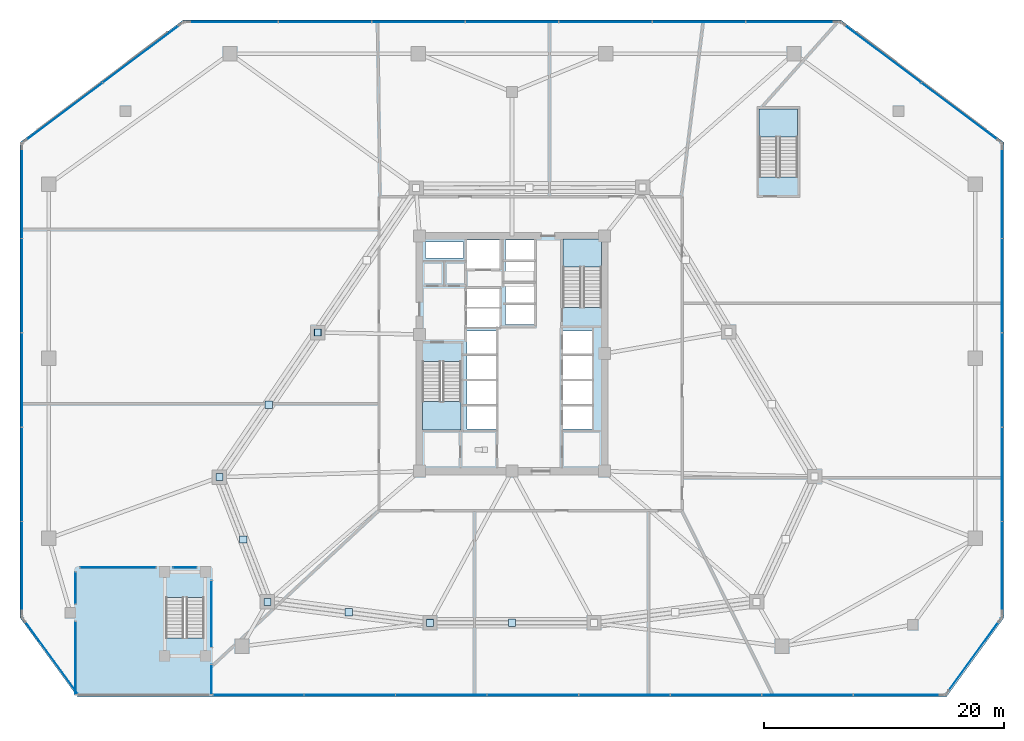
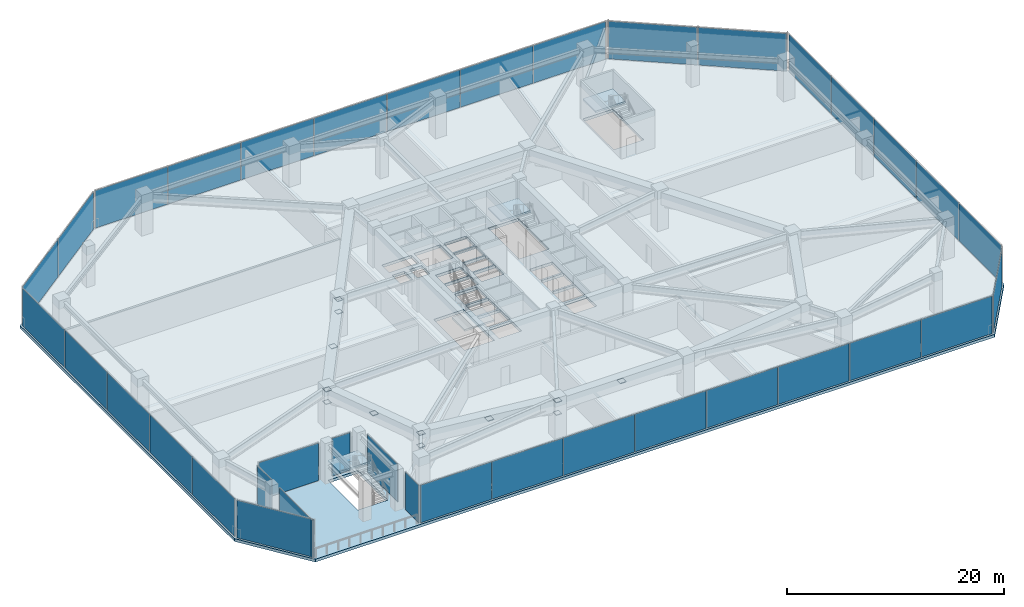
# One storey, part 13 of 23: 49 plates, 5 slabs, 18 elements without a shape of their own.
"""IFC4 building model written with IfcOpenShell, lengths in metres."""

from ifc_helpers import new_model, si_unit, direction, frame, origin, origin_2d, place, context, subcontext, project, spatial, polyline, rectangle, outline, extrude, material, layer, layer_set, type_object, element, aggregate, save


model = new_model("IFC4")

# Units and contexts
model_context = context("Model", 3, precision=1e-05, world=origin(), true_north=direction((0.0, 1.0)))
body_context = subcontext(model_context, "Body", "Model", "MODEL_VIEW")
ifc_project = project(units=[si_unit("LENGTHUNIT", "METRE"), si_unit("AREAUNIT", "SQUARE_METRE"), si_unit("VOLUMEUNIT", "CUBIC_METRE"), si_unit("PLANEANGLEUNIT", "RADIAN"), si_unit("MASSUNIT", "GRAM", prefix="KILO")], contexts=[model_context])

# Site, building, storey
site_placement = place(None, origin())
site = spatial("IfcSite", under=ifc_project, at=site_placement, CompositionType="ELEMENT")
building_placement = place(site_placement, origin())
building = spatial("IfcBuilding", under=site, at=building_placement, Name="Savorim Split Tower", CompositionType="ELEMENT")
storey_placement = place(building_placement, frame((0.0, 0.0, 21.800048828125)))
storey = spatial("IfcBuildingStorey", under=building, at=storey_placement, Name="L05", CompositionType="ELEMENT", Elevation=21.800048828125)

# Curtain wall, plate
ifc_material_1 = material(Name="Dark Ceramic-Fritted Insulated Glass", Category="glass")
curtain_wall_type = type_object("IfcCurtainWallType", Name="CW-REFUGE-LVR", PredefinedType="NOTDEFINED", material=ifc_material_1)
curtain_wall_1_placement = place(storey_placement, origin())
curtain_wall_1 = element("IfcCurtainWall", 1, at=curtain_wall_1_placement, inside=storey, type_object=curtain_wall_type, Name="L05 Curtain Wall CW-L05-E01S1", PredefinedType="NOTDEFINED")
ifc_material_2 = material(Name="Charcoal Anodised Aluminium", Category="aluminium")
ifc_layer_1 = layer(ifc_material_2, 0.035888671875)
ifc_layer_set_1 = layer_set([ifc_layer_1], Name="CWP-LVR-36")
plate_type_1 = type_object("IfcPlateType", Name="CWP-LVR-36", PredefinedType="CURTAIN_PANEL", material=ifc_layer_set_1)
plate_1_placement = place(storey_placement, frame((-36.360107421875, -24.965087890625, 0.05517578125), z_axis=(0.0, 0.0, 1.0), x_axis=(0.0, 1.0, 0.0)))
plate_1 = element("IfcPlate", 2, at=plate_1_placement, type_object=plate_type_1, Name="CW-06 panel 1.1", PredefinedType="CURTAIN_PANEL", context=body_context, shape_type="SweptSolid", body=[
    extrude(rectangle(XDim=6.06005859375, YDim=0.035888671875, at=origin_2d()), origin(), (0.0, 0.0, 1.0), 4.239990234375),
])
aggregate(curtain_wall_1, [plate_1])

curtain_wall_2_placement = place(storey_placement, origin())
curtain_wall_2 = element("IfcCurtainWall", 3, at=curtain_wall_2_placement, inside=storey, type_object=curtain_wall_type, Name="L05 Curtain Wall CW-L05-E01S2", PredefinedType="NOTDEFINED")
plate_2_placement = place(storey_placement, frame((-36.360107421875, -19.135009765625, 0.05517578125), z_axis=(0.0, 0.0, 1.0), x_axis=(0.0, 1.0, 0.0)))
plate_2 = element("IfcPlate", 4, at=plate_2_placement, type_object=plate_type_1, Name="CW-06 panel 1.1", PredefinedType="CURTAIN_PANEL", context=body_context, shape_type="SweptSolid", body=[
    extrude(rectangle(XDim=2.659912109375, YDim=0.035888671875, at=origin_2d()), origin(), (0.0, 0.0, 1.0), 4.239990234375),
])
aggregate(curtain_wall_2, [plate_2])

curtain_wall_3_placement = place(storey_placement, origin())
curtain_wall_3 = element("IfcCurtainWall", 5, at=curtain_wall_3_placement, inside=storey, type_object=curtain_wall_type, Name="L05 Curtain Wall CW-L05-E02S1", PredefinedType="NOTDEFINED")
plate_3_placement = place(storey_placement, frame((-32.840087890625, -17.43994140625, 0.05517578125), z_axis=(0.0, 0.0, 1.0), x_axis=(1.0, 0.0, 0.0)))
plate_3 = element("IfcPlate", 6, at=plate_3_placement, type_object=plate_type_1, Name="CW-06 panel 1.1", PredefinedType="CURTAIN_PANEL", context=body_context, shape_type="SweptSolid", body=[
    extrude(rectangle(XDim=6.31005859375, YDim=0.035888671875, at=origin_2d()), origin(), (0.0, 0.0, 1.0), 4.239990234375),
])
aggregate(curtain_wall_3, [plate_3])

curtain_wall_4_placement = place(storey_placement, origin())
curtain_wall_4 = element("IfcCurtainWall", 7, at=curtain_wall_4_placement, inside=storey, type_object=curtain_wall_type, Name="L05 Curtain Wall CW-L05-E02S2", PredefinedType="NOTDEFINED")
plate_4_placement = place(storey_placement, frame((-27.25, -17.43994140625, 0.05517578125), z_axis=(0.0, 0.0, 1.0), x_axis=(1.0, 0.0, 0.0)))
plate_4 = element("IfcPlate", 8, at=plate_4_placement, type_object=plate_type_1, Name="CW-06 panel 1.1", PredefinedType="CURTAIN_PANEL", context=body_context, shape_type="SweptSolid", body=[
    extrude(rectangle(XDim=1.929931640625, YDim=0.035888671875, at=origin_2d()), origin(), (0.0, 0.0, 1.0), 4.239990234375),
])
aggregate(curtain_wall_4, [plate_4])

curtain_wall_5_placement = place(storey_placement, origin())
curtain_wall_5 = element("IfcCurtainWall", 9, at=curtain_wall_5_placement, inside=storey, type_object=curtain_wall_type, Name="L05 Curtain Wall CW-L05-E03S1", PredefinedType="NOTDEFINED")
plate_5_placement = place(storey_placement, frame((-25.0400390625, -21.300048828125, 0.05517578125), z_axis=(0.0, 0.0, 1.0), x_axis=(0.0, -1.0, 0.0)))
plate_5 = element("IfcPlate", 10, at=plate_5_placement, type_object=plate_type_1, Name="CW-06 panel 1.1", PredefinedType="CURTAIN_PANEL", context=body_context, shape_type="SweptSolid", body=[
    extrude(rectangle(XDim=5.530029296875, YDim=0.035888671875, at=origin_2d()), origin(), (0.0, 0.0, 1.0), 4.239990234375),
])
aggregate(curtain_wall_5, [plate_5])

curtain_wall_6_placement = place(storey_placement, origin())
curtain_wall_6 = element("IfcCurtainWall", 11, at=curtain_wall_6_placement, inside=storey, type_object=curtain_wall_type, Name="L05 Curtain Wall CW-L05-E03S2", PredefinedType="NOTDEFINED")
plate_6_placement = place(storey_placement, frame((-25.0400390625, -26.764892578125, 0.05517578125), z_axis=(0.0, 0.0, 1.0), x_axis=(0.0, -1.0, 0.0)))
plate_6 = element("IfcPlate", 12, at=plate_6_placement, type_object=plate_type_1, Name="CW-06 panel 1.1", PredefinedType="CURTAIN_PANEL", context=body_context, shape_type="SweptSolid", body=[
    extrude(rectangle(XDim=2.4599609375, YDim=0.035888671875, at=origin_2d()), origin(), (0.0, 0.0, 1.0), 4.239990234375),
])
aggregate(curtain_wall_6, [plate_6])

# Curtain wall, plates
curtain_wall_7_placement = place(storey_placement, origin())
curtain_wall_7 = element("IfcCurtainWall", 13, at=curtain_wall_7_placement, inside=storey, type_object=curtain_wall_type, Name="L05 Curtain Wall CW-L05-E04", PredefinedType="NOTDEFINED")
plate_7_placement = place(storey_placement, frame((-21.125244140625, -28.0400390625, 0.05517578125), z_axis=(0.0, 0.0, 1.0), x_axis=(1.0, 0.0, 0.0)))
plate_7 = element("IfcPlate", 14, at=plate_7_placement, type_object=plate_type_1, Name="CW-06 panel 1.1", PredefinedType="CURTAIN_PANEL", context=body_context, shape_type="SweptSolid", body=[
    extrude(rectangle(XDim=7.529296875, YDim=0.035888671875, at=origin_2d()), origin(), (0.0, 0.0, 1.0), 4.239990234375),
])
plate_8_placement = place(storey_placement, frame((-13.5146484375, -28.0400390625, 0.05517578125), z_axis=(0.0, 0.0, 1.0), x_axis=(1.0, 0.0, 0.0)))
plate_8 = element("IfcPlate", 15, at=plate_8_placement, type_object=plate_type_1, Name="CW-06 panel 2.1", PredefinedType="CURTAIN_PANEL", context=body_context, shape_type="SweptSolid", body=[
    extrude(rectangle(XDim=7.561767578125, YDim=0.035888671875, at=origin_2d()), origin(), (0.0, 0.0, 1.0), 4.239990234375),
])
plate_9_placement = place(storey_placement, frame((-5.8876953125, -28.0400390625, 0.05517578125), z_axis=(0.0, 0.0, 1.0), x_axis=(1.0, 0.0, 0.0)))
plate_9 = element("IfcPlate", 16, at=plate_9_placement, type_object=plate_type_1, Name="CW-06 panel 3.1", PredefinedType="CURTAIN_PANEL", context=body_context, shape_type="SweptSolid", body=[
    extrude(rectangle(XDim=7.561767578125, YDim=0.035888671875, at=origin_2d()), origin(), (0.0, 0.0, 1.0), 4.239990234375),
])
plate_10_placement = place(storey_placement, frame((1.739013671875, -28.0400390625, 0.05517578125), z_axis=(0.0, 0.0, 1.0), x_axis=(1.0, 0.0, 0.0)))
plate_10 = element("IfcPlate", 17, at=plate_10_placement, type_object=plate_type_1, Name="CW-06 panel 4.1", PredefinedType="CURTAIN_PANEL", context=body_context, shape_type="SweptSolid", body=[
    extrude(rectangle(XDim=7.561767578125, YDim=0.035888671875, at=origin_2d()), origin(), (0.0, 0.0, 1.0), 4.239990234375),
])
plate_11_placement = place(storey_placement, frame((9.365966796875, -28.0400390625, 0.05517578125), z_axis=(0.0, 0.0, 1.0), x_axis=(1.0, 0.0, 0.0)))
plate_11 = element("IfcPlate", 18, at=plate_11_placement, type_object=plate_type_1, Name="CW-06 panel 5.1", PredefinedType="CURTAIN_PANEL", context=body_context, shape_type="SweptSolid", body=[
    extrude(rectangle(XDim=7.561767578125, YDim=0.035888671875, at=origin_2d()), origin(), (0.0, 0.0, 1.0), 4.239990234375),
])
plate_12_placement = place(storey_placement, frame((16.992919921875, -28.0400390625, 0.05517578125), z_axis=(0.0, 0.0, 1.0), x_axis=(1.0, 0.0, 0.0)))
plate_12 = element("IfcPlate", 19, at=plate_12_placement, type_object=plate_type_1, Name="CW-06 panel 6.1", PredefinedType="CURTAIN_PANEL", context=body_context, shape_type="SweptSolid", body=[
    extrude(rectangle(XDim=7.561767578125, YDim=0.035888671875, at=origin_2d()), origin(), (0.0, 0.0, 1.0), 4.239990234375),
])
plate_13_placement = place(storey_placement, frame((24.61962890625, -28.0400390625, 0.05517578125), z_axis=(0.0, 0.0, 1.0), x_axis=(1.0, 0.0, 0.0)))
plate_13 = element("IfcPlate", 20, at=plate_13_placement, type_object=plate_type_1, Name="CW-06 panel 7.1", PredefinedType="CURTAIN_PANEL", context=body_context, shape_type="SweptSolid", body=[
    extrude(rectangle(XDim=7.561767578125, YDim=0.035888671875, at=origin_2d()), origin(), (0.0, 0.0, 1.0), 4.239990234375),
])
plate_14_placement = place(storey_placement, frame((32.230224609375, -28.0400390625, 0.05517578125), z_axis=(0.0, 0.0, 1.0), x_axis=(1.0, 0.0, 0.0)))
plate_14 = element("IfcPlate", 21, at=plate_14_placement, type_object=plate_type_1, Name="CW-06 panel 8.1", PredefinedType="CURTAIN_PANEL", context=body_context, shape_type="SweptSolid", body=[
    extrude(rectangle(XDim=7.529296875, YDim=0.035888671875, at=origin_2d()), origin(), (0.0, 0.0, 1.0), 4.239990234375),
])
aggregate(curtain_wall_7, [plate_7, plate_8, plate_9, plate_10, plate_11, plate_12, plate_13, plate_14])

# Curtain wall, plate
curtain_wall_8_placement = place(storey_placement, origin())
curtain_wall_8 = element("IfcCurtainWall", 22, at=curtain_wall_8_placement, inside=storey, type_object=curtain_wall_type, Name="L05 Curtain Wall CW-L05-E05", PredefinedType="NOTDEFINED")
plate_15_placement = place(storey_placement, frame((38.470703125, -24.805908203125, 0.05517578125), z_axis=(0.0, 0.0, 1.0), x_axis=(0.588176224478, 0.808732792063, 0.0)))
plate_15 = element("IfcPlate", 23, at=plate_15_placement, type_object=plate_type_1, Name="CW-06 panel 1.1", PredefinedType="CURTAIN_PANEL", context=body_context, shape_type="SweptSolid", body=[
    extrude(rectangle(XDim=7.7509765625, YDim=0.035888671875, at=origin_2d()), origin(), (0.0, 0.0, 1.0), 4.239990234375),
])
aggregate(curtain_wall_8, [plate_15])

# Curtain wall, plates
curtain_wall_9_placement = place(storey_placement, origin())
curtain_wall_9 = element("IfcCurtainWall", 24, at=curtain_wall_9_placement, inside=storey, type_object=curtain_wall_type, Name="L05 Curtain Wall CW-L05-E06", PredefinedType="NOTDEFINED")
plate_16_placement = place(storey_placement, frame((40.840087890625, -17.51171875, 0.05517578125), z_axis=(0.0, 0.0, 1.0), x_axis=(0.0, 1.0, 0.0)))
plate_16 = element("IfcPlate", 25, at=plate_16_placement, type_object=plate_type_1, Name="CW-06 panel 1.1", PredefinedType="CURTAIN_PANEL", context=body_context, shape_type="SweptSolid", body=[
    extrude(rectangle(XDim=7.7666015625, YDim=0.035888671875, at=origin_2d()), origin(), (0.0, 0.0, 1.0), 4.239990234375),
])
plate_17_placement = place(storey_placement, frame((40.840087890625, -9.6640625, 0.05517578125), z_axis=(0.0, 0.0, 1.0), x_axis=(0.0, 1.0, 0.0)))
plate_17 = element("IfcPlate", 26, at=plate_17_placement, type_object=plate_type_1, Name="CW-06 panel 2.1", PredefinedType="CURTAIN_PANEL", context=body_context, shape_type="SweptSolid", body=[
    extrude(rectangle(XDim=7.799072265625, YDim=0.035888671875, at=origin_2d()), origin(), (0.0, 0.0, 1.0), 4.239990234375),
])
plate_18_placement = place(storey_placement, frame((40.840087890625, -1.800048828125, 0.05517578125), z_axis=(0.0, 0.0, 1.0), x_axis=(0.0, 1.0, 0.0)))
plate_18 = element("IfcPlate", 27, at=plate_18_placement, type_object=plate_type_1, Name="CW-06 panel 3.1", PredefinedType="CURTAIN_PANEL", context=body_context, shape_type="SweptSolid", body=[
    extrude(rectangle(XDim=7.799072265625, YDim=0.035888671875, at=origin_2d()), origin(), (0.0, 0.0, 1.0), 4.239990234375),
])
plate_19_placement = place(storey_placement, frame((40.840087890625, 6.06396484375, 0.05517578125), z_axis=(0.0, 0.0, 1.0), x_axis=(0.0, 1.0, 0.0)))
plate_19 = element("IfcPlate", 28, at=plate_19_placement, type_object=plate_type_1, Name="CW-06 panel 4.1", PredefinedType="CURTAIN_PANEL", context=body_context, shape_type="SweptSolid", body=[
    extrude(rectangle(XDim=7.799072265625, YDim=0.035888671875, at=origin_2d()), origin(), (0.0, 0.0, 1.0), 4.239990234375),
])
plate_20_placement = place(storey_placement, frame((40.840087890625, 13.911865234375, 0.05517578125), z_axis=(0.0, 0.0, 1.0), x_axis=(0.0, 1.0, 0.0)))
plate_20 = element("IfcPlate", 29, at=plate_20_placement, type_object=plate_type_1, Name="CW-06 panel 5.1", PredefinedType="CURTAIN_PANEL", context=body_context, shape_type="SweptSolid", body=[
    extrude(rectangle(XDim=7.7666015625, YDim=0.035888671875, at=origin_2d()), origin(), (0.0, 0.0, 1.0), 4.239990234375),
])
aggregate(curtain_wall_9, [plate_16, plate_17, plate_18, plate_19, plate_20])

curtain_wall_10_placement = place(storey_placement, origin())
curtain_wall_10 = element("IfcCurtainWall", 30, at=curtain_wall_10_placement, inside=storey, type_object=curtain_wall_type, Name="L05 Curtain Wall CW-L05-E07", PredefinedType="NOTDEFINED")
plate_21_placement = place(storey_placement, frame((37.43505859375, 20.4736328125, 0.05517578125), z_axis=(0.0, 0.0, 1.0), x_axis=(-0.799999999998, 0.600000000002, 0.0)))
plate_21 = element("IfcPlate", 31, at=plate_21_placement, type_object=plate_type_1, Name="CW-06 panel 1.1", PredefinedType="CURTAIN_PANEL", context=body_context, shape_type="SweptSolid", body=[
    extrude(rectangle(XDim=8.262451171875, YDim=0.035888671875, at=origin_2d()), origin(), (0.0, 0.0, 1.0), 4.239990234375),
])
plate_22_placement = place(storey_placement, frame((30.77294921875, 25.47021484375, 0.05517578125), z_axis=(0.0, 0.0, 1.0), x_axis=(-0.799999999998, 0.600000000002, 0.0)))
plate_22 = element("IfcPlate", 32, at=plate_22_placement, type_object=plate_type_1, Name="CW-06 panel 2.1", PredefinedType="CURTAIN_PANEL", context=body_context, shape_type="SweptSolid", body=[
    extrude(rectangle(XDim=8.262451171875, YDim=0.035888671875, at=origin_2d()), origin(), (0.0, 0.0, 1.0), 4.239990234375),
])
aggregate(curtain_wall_10, [plate_21, plate_22])

curtain_wall_11_placement = place(storey_placement, origin())
curtain_wall_11 = element("IfcCurtainWall", 33, at=curtain_wall_11_placement, inside=storey, type_object=curtain_wall_type, Name="L05 Curtain Wall CW-L05-E08", PredefinedType="NOTDEFINED")
plate_23_placement = place(storey_placement, frame((23.349365234375, 28.0400390625, 0.05517578125), z_axis=(0.0, 0.0, 1.0), x_axis=(-1.0, 0.0, 0.0)))
plate_23 = element("IfcPlate", 34, at=plate_23_placement, type_object=plate_type_1, Name="CW-06 panel 1.1", PredefinedType="CURTAIN_PANEL", context=body_context, shape_type="SweptSolid", body=[
    extrude(rectangle(XDim=7.691162109375, YDim=0.035888671875, at=origin_2d()), origin(), (0.0, 0.0, 1.0), 4.239990234375),
])
plate_24_placement = place(storey_placement, frame((15.5771484375, 28.0400390625, 0.05517578125), z_axis=(0.0, 0.0, 1.0), x_axis=(-1.0, 0.0, 0.0)))
plate_24 = element("IfcPlate", 35, at=plate_24_placement, type_object=plate_type_1, Name="CW-06 panel 2.1", PredefinedType="CURTAIN_PANEL", context=body_context, shape_type="SweptSolid", body=[
    extrude(rectangle(XDim=7.7236328125, YDim=0.035888671875, at=origin_2d()), origin(), (0.0, 0.0, 1.0), 4.239990234375),
])
plate_25_placement = place(storey_placement, frame((7.78857421875, 28.0400390625, 0.05517578125), z_axis=(0.0, 0.0, 1.0), x_axis=(-1.0, 0.0, 0.0)))
plate_25 = element("IfcPlate", 36, at=plate_25_placement, type_object=plate_type_1, Name="CW-06 panel 3.1", PredefinedType="CURTAIN_PANEL", context=body_context, shape_type="SweptSolid", body=[
    extrude(rectangle(XDim=7.7236328125, YDim=0.035888671875, at=origin_2d()), origin(), (0.0, 0.0, 1.0), 4.239990234375),
])
plate_26_placement = place(storey_placement, frame((0.0, 28.0400390625, 0.05517578125), z_axis=(0.0, 0.0, 1.0), x_axis=(-1.0, 0.0, 0.0)))
plate_26 = element("IfcPlate", 37, at=plate_26_placement, type_object=plate_type_1, Name="CW-06 panel 4.1", PredefinedType="CURTAIN_PANEL", context=body_context, shape_type="SweptSolid", body=[
    extrude(rectangle(XDim=7.7236328125, YDim=0.035888671875, at=origin_2d()), origin(), (0.0, 0.0, 1.0), 4.239990234375),
])
plate_27_placement = place(storey_placement, frame((-7.78857421875, 28.0400390625, 0.05517578125), z_axis=(0.0, 0.0, 1.0), x_axis=(-1.0, 0.0, 0.0)))
plate_27 = element("IfcPlate", 38, at=plate_27_placement, type_object=plate_type_1, Name="CW-06 panel 5.1", PredefinedType="CURTAIN_PANEL", context=body_context, shape_type="SweptSolid", body=[
    extrude(rectangle(XDim=7.7236328125, YDim=0.035888671875, at=origin_2d()), origin(), (0.0, 0.0, 1.0), 4.239990234375),
])
plate_28_placement = place(storey_placement, frame((-15.5771484375, 28.0400390625, 0.05517578125), z_axis=(0.0, 0.0, 1.0), x_axis=(-1.0, 0.0, 0.0)))
plate_28 = element("IfcPlate", 39, at=plate_28_placement, type_object=plate_type_1, Name="CW-06 panel 6.1", PredefinedType="CURTAIN_PANEL", context=body_context, shape_type="SweptSolid", body=[
    extrude(rectangle(XDim=7.7236328125, YDim=0.035888671875, at=origin_2d()), origin(), (0.0, 0.0, 1.0), 4.239990234375),
])
plate_29_placement = place(storey_placement, frame((-23.349365234375, 28.0400390625, 0.05517578125), z_axis=(0.0, 0.0, 1.0), x_axis=(-1.0, 0.0, 0.0)))
plate_29 = element("IfcPlate", 40, at=plate_29_placement, type_object=plate_type_1, Name="CW-06 panel 7.1", PredefinedType="CURTAIN_PANEL", context=body_context, shape_type="SweptSolid", body=[
    extrude(rectangle(XDim=7.691162109375, YDim=0.035888671875, at=origin_2d()), origin(), (0.0, 0.0, 1.0), 4.239990234375),
])
aggregate(curtain_wall_11, [plate_23, plate_24, plate_25, plate_26, plate_27, plate_28, plate_29])

curtain_wall_12_placement = place(storey_placement, origin())
curtain_wall_12 = element("IfcCurtainWall", 41, at=curtain_wall_12_placement, inside=storey, type_object=curtain_wall_type, Name="L05 Curtain Wall CW-L05-E09", PredefinedType="NOTDEFINED")
plate_30_placement = place(storey_placement, frame((-30.77294921875, 25.47021484375, 0.05517578125), z_axis=(0.0, 0.0, 1.0), x_axis=(-0.799999999998, -0.600000000002, 0.0)))
plate_30 = element("IfcPlate", 42, at=plate_30_placement, type_object=plate_type_1, Name="CW-06 panel 1.1", PredefinedType="CURTAIN_PANEL", context=body_context, shape_type="SweptSolid", body=[
    extrude(rectangle(XDim=8.262451171875, YDim=0.035888671875, at=origin_2d()), origin(), (0.0, 0.0, 1.0), 4.239990234375),
])
plate_31_placement = place(storey_placement, frame((-37.43505859375, 20.4736328125, 0.05517578125), z_axis=(0.0, 0.0, 1.0), x_axis=(-0.799999999998, -0.600000000002, 0.0)))
plate_31 = element("IfcPlate", 43, at=plate_31_placement, type_object=plate_type_1, Name="CW-06 panel 2.1", PredefinedType="CURTAIN_PANEL", context=body_context, shape_type="SweptSolid", body=[
    extrude(rectangle(XDim=8.262451171875, YDim=0.035888671875, at=origin_2d()), origin(), (0.0, 0.0, 1.0), 4.239990234375),
])
aggregate(curtain_wall_12, [plate_30, plate_31])

curtain_wall_13_placement = place(storey_placement, origin())
curtain_wall_13 = element("IfcCurtainWall", 44, at=curtain_wall_13_placement, inside=storey, type_object=curtain_wall_type, Name="L05 Curtain Wall CW-L05-E10", PredefinedType="NOTDEFINED")
plate_32_placement = place(storey_placement, frame((-40.840087890625, 13.911865234375, 0.05517578125), z_axis=(0.0, 0.0, 1.0), x_axis=(0.0, -1.0, 0.0)))
plate_32 = element("IfcPlate", 45, at=plate_32_placement, type_object=plate_type_1, Name="CW-06 panel 1.1", PredefinedType="CURTAIN_PANEL", context=body_context, shape_type="SweptSolid", body=[
    extrude(rectangle(XDim=7.7666015625, YDim=0.035888671875, at=origin_2d()), origin(), (0.0, 0.0, 1.0), 4.239990234375),
])
plate_33_placement = place(storey_placement, frame((-40.840087890625, 6.06396484375, 0.05517578125), z_axis=(0.0, 0.0, 1.0), x_axis=(0.0, -1.0, 0.0)))
plate_33 = element("IfcPlate", 46, at=plate_33_placement, type_object=plate_type_1, Name="CW-06 panel 2.1", PredefinedType="CURTAIN_PANEL", context=body_context, shape_type="SweptSolid", body=[
    extrude(rectangle(XDim=7.799072265625, YDim=0.035888671875, at=origin_2d()), origin(), (0.0, 0.0, 1.0), 4.239990234375),
])
plate_34_placement = place(storey_placement, frame((-40.840087890625, -1.800048828125, 0.05517578125), z_axis=(0.0, 0.0, 1.0), x_axis=(0.0, -1.0, 0.0)))
plate_34 = element("IfcPlate", 47, at=plate_34_placement, type_object=plate_type_1, Name="CW-06 panel 3.1", PredefinedType="CURTAIN_PANEL", context=body_context, shape_type="SweptSolid", body=[
    extrude(rectangle(XDim=7.799072265625, YDim=0.035888671875, at=origin_2d()), origin(), (0.0, 0.0, 1.0), 4.239990234375),
])
plate_35_placement = place(storey_placement, frame((-40.840087890625, -9.6640625, 0.05517578125), z_axis=(0.0, 0.0, 1.0), x_axis=(0.0, -1.0, 0.0)))
plate_35 = element("IfcPlate", 48, at=plate_35_placement, type_object=plate_type_1, Name="CW-06 panel 4.1", PredefinedType="CURTAIN_PANEL", context=body_context, shape_type="SweptSolid", body=[
    extrude(rectangle(XDim=7.799072265625, YDim=0.035888671875, at=origin_2d()), origin(), (0.0, 0.0, 1.0), 4.239990234375),
])
plate_36_placement = place(storey_placement, frame((-40.840087890625, -17.51171875, 0.05517578125), z_axis=(0.0, 0.0, 1.0), x_axis=(0.0, -1.0, 0.0)))
plate_36 = element("IfcPlate", 49, at=plate_36_placement, type_object=plate_type_1, Name="CW-06 panel 5.1", PredefinedType="CURTAIN_PANEL", context=body_context, shape_type="SweptSolid", body=[
    extrude(rectangle(XDim=7.7666015625, YDim=0.035888671875, at=origin_2d()), origin(), (0.0, 0.0, 1.0), 4.239990234375),
])
aggregate(curtain_wall_13, [plate_32, plate_33, plate_34, plate_35, plate_36])

# Curtain wall, plate
curtain_wall_14_placement = place(storey_placement, origin())
curtain_wall_14 = element("IfcCurtainWall", 50, at=curtain_wall_14_placement, inside=storey, type_object=curtain_wall_type, Name="L05 Curtain Wall CW-L05-E11", PredefinedType="NOTDEFINED")
plate_37_placement = place(storey_placement, frame((-38.470703125, -24.805908203125, 0.05517578125), z_axis=(0.0, 0.0, 1.0), x_axis=(0.588176224478, -0.808732792063, 0.0)))
plate_37 = element("IfcPlate", 51, at=plate_37_placement, type_object=plate_type_1, Name="CW-06 panel 1.1", PredefinedType="CURTAIN_PANEL", context=body_context, shape_type="SweptSolid", body=[
    extrude(rectangle(XDim=7.7509765625, YDim=0.035888671875, at=origin_2d()), origin(), (0.0, 0.0, 1.0), 4.239990234375),
])
aggregate(curtain_wall_14, [plate_37])

# Plates
ifc_material_3 = material(Name="Steel S460", Category="steel")
ifc_layer_2 = layer(ifc_material_3, 0.028076171875)
ifc_layer_set_2 = layer_set([ifc_layer_2], Name="PLT-NODE-BN1")
plate_type_2 = type_object("IfcPlateType", Name="PLT-NODE-BN1", PredefinedType="SHEET", material=ifc_layer_set_2)
plate_38_placement = place(storey_placement, frame((-20.384033203125, -20.291748046875, 2.4638671875), z_axis=(0.0, 0.0, 1.0), x_axis=(1.0, 0.0, 0.0)))
element("IfcPlate", 52, at=plate_38_placement, inside=storey, type_object=plate_type_2, Name="L05 Belt Truss Base Gusset Plate 1", PredefinedType="SHEET", context=body_context, shape_type="SweptSolid", body=[
    extrude(rectangle(XDim=0.580078125, YDim=0.580078125, at=origin_2d()), origin(), (0.0, 0.0, 1.0), 0.031982421875),
])
plate_39_placement = place(storey_placement, frame((-13.60791015625, -21.161865234375, 3.65234375), z_axis=(0.0, 0.0, 1.0), x_axis=(1.0, 0.0, 0.0)))
element("IfcPlate", 53, at=plate_39_placement, inside=storey, type_object=plate_type_2, Name="L05 Belt Truss Apex Gusset Plate 1", PredefinedType="SHEET", context=body_context, shape_type="SweptSolid", body=[
    extrude(rectangle(XDim=0.6201171875, YDim=0.6201171875, at=origin_2d()), origin(), (0.0, 0.0, 1.0), 0.034912109375),
])
plate_40_placement = place(storey_placement, frame((-6.831787109375, -22.03173828125, 2.4638671875), z_axis=(0.0, 0.0, 1.0), x_axis=(1.0, 0.0, 0.0)))
element("IfcPlate", 54, at=plate_40_placement, inside=storey, type_object=plate_type_2, Name="L05 Belt Truss Base Gusset Plate 2", PredefinedType="SHEET", context=body_context, shape_type="SweptSolid", body=[
    extrude(rectangle(XDim=0.580078125, YDim=0.580078125, at=origin_2d()), origin(), (0.0, 0.0, 1.0), 0.031982421875),
])
plate_41_placement = place(storey_placement, frame((0.0, -22.03173828125, 3.65234375), z_axis=(0.0, 0.0, 1.0), x_axis=(1.0, 0.0, 0.0)))
element("IfcPlate", 55, at=plate_41_placement, inside=storey, type_object=plate_type_2, Name="L05 Belt Truss Apex Gusset Plate 2", PredefinedType="SHEET", context=body_context, shape_type="SweptSolid", body=[
    extrude(rectangle(XDim=0.6201171875, YDim=0.6201171875, at=origin_2d()), origin(), (0.0, 0.0, 1.0), 0.034912109375),
])
plate_42_placement = place(storey_placement, frame((-16.1884765625, 2.15380859375, 2.4638671875), z_axis=(0.0, 0.0, 1.0), x_axis=(1.0, 0.0, 0.0)))
element("IfcPlate", 56, at=plate_42_placement, inside=storey, type_object=plate_type_2, Name="L05 Belt Truss Base Gusset Plate 9", PredefinedType="SHEET", context=body_context, shape_type="SweptSolid", body=[
    extrude(rectangle(XDim=0.580078125, YDim=0.580078125, at=origin_2d()), origin(), (0.0, 0.0, 1.0), 0.031982421875),
])
plate_43_placement = place(storey_placement, frame((-20.28662109375, -3.870361328125, 3.65234375), z_axis=(0.0, 0.0, 1.0), x_axis=(1.0, 0.0, 0.0)))
element("IfcPlate", 57, at=plate_43_placement, inside=storey, type_object=plate_type_2, Name="L05 Belt Truss Apex Gusset Plate 9", PredefinedType="SHEET", context=body_context, shape_type="SweptSolid", body=[
    extrude(rectangle(XDim=0.6201171875, YDim=0.6201171875, at=origin_2d()), origin(), (0.0, 0.0, 1.0), 0.034912109375),
])
plate_44_placement = place(storey_placement, frame((-24.384521484375, -9.894287109375, 2.4638671875), z_axis=(0.0, 0.0, 1.0), x_axis=(1.0, 0.0, 0.0)))
element("IfcPlate", 58, at=plate_44_placement, inside=storey, type_object=plate_type_2, Name="L05 Belt Truss Base Gusset Plate 10", PredefinedType="SHEET", context=body_context, shape_type="SweptSolid", body=[
    extrude(rectangle(XDim=0.580078125, YDim=0.580078125, at=origin_2d()), origin(), (0.0, 0.0, 1.0), 0.031982421875),
])
plate_45_placement = place(storey_placement, frame((-22.38427734375, -15.093017578125, 3.65234375), z_axis=(0.0, 0.0, 1.0), x_axis=(1.0, 0.0, 0.0)))
element("IfcPlate", 59, at=plate_45_placement, inside=storey, type_object=plate_type_2, Name="L05 Belt Truss Apex Gusset Plate 10", PredefinedType="SHEET", context=body_context, shape_type="SweptSolid", body=[
    extrude(rectangle(XDim=0.6201171875, YDim=0.6201171875, at=origin_2d()), origin(), (0.0, 0.0, 1.0), 0.034912109375),
])
ifc_layer_3 = layer(ifc_material_3, 0.034912109375)
ifc_layer_set_3 = layer_set([ifc_layer_3], Name="PLT-NODE-KN1")
plate_type_3 = type_object("IfcPlateType", Name="PLT-NODE-KN1", PredefinedType="SHEET", material=ifc_layer_set_3)
for number, where, z_axis, x_axis, name in (
    (60, (-20.384033203125, -20.291748046875, 3.88232421875), (0.0, 0.0, 1.0), (1.0, 0.0, 0.0), "L05 Transfer Node Plate KN1-01"),
    (61, (-6.831787109375, -22.03173828125, 3.88232421875), (0.0, 0.0, 1.0), (1.0, 0.0, 0.0), "L05 Transfer Node Plate KN1-02"),
    (62, (-16.1884765625, 2.15380859375, 3.88232421875), (0.0, 0.0, 1.0), (1.0, 0.0, 0.0), "L05 Transfer Node Plate KN1-09"),
    (63, (-24.384521484375, -9.894287109375, 3.88232421875), (0.0, 0.0, 1.0), (1.0, 0.0, 0.0), "L05 Transfer Node Plate KN1-10"),
):
    element("IfcPlate", number, at=place(storey_placement, frame(where, z_axis=z_axis, x_axis=x_axis)), inside=storey, type_object=plate_type_3, Name=name, PredefinedType="SHEET", context=body_context, shape_type="SweptSolid", body=[
        extrude(rectangle(XDim=0.60009765625, YDim=0.60009765625, at=origin_2d()), origin(), (0.0, 0.0, 1.0), 0.034912109375),
    ])

# Stair, slab
ifc_material_4 = material(Name="Concrete C50/60", Category="concrete")
stair_type = type_object("IfcStairType", Name="STR-DOG-4600", PredefinedType="HALF_TURN_STAIR", material=ifc_material_4)
stair_1_placement = place(storey_placement, origin())
stair_1 = element("IfcStair", 64, at=stair_1_placement, inside=storey, type_object=stair_type, Name="L05 Core Protected Exit Stair ST-1", PredefinedType="HALF_TURN_STAIR")
ifc_layer_4 = layer(ifc_material_4, 0.199951171875)
ifc_layer_set_4 = layer_set([ifc_layer_4], Name="SLB-LND-200")
slab_type_1 = type_object("IfcSlabType", Name="SLB-LND-200", PredefinedType="LANDING", material=ifc_layer_set_4)
slab_1_placement = place(storey_placement, frame((0.0, 0.0, 2.099853515625)))
slab_1 = element("IfcSlab", 65, at=slab_1_placement, type_object=slab_type_1, Name="ST-1 landing 1", PredefinedType="LANDING", context=body_context, shape_type="SweptSolid", body=[
    extrude(outline(polyline([(-7.449951171875, -3.610107421875), (-7.449951171875, -5.949951171875), (-4.25, -5.949951171875), (-4.25, -3.610107421875), (-7.449951171875, -3.610107421875)])), origin(), (0.0, 0.0, 1.0), 0.2001953125),
])
aggregate(stair_1, [slab_1])

stair_2_placement = place(storey_placement, origin())
stair_2 = element("IfcStair", 66, at=stair_2_placement, inside=storey, type_object=stair_type, Name="L05 Core Protected Exit Stair ST-2", PredefinedType="HALF_TURN_STAIR")
slab_2_placement = place(storey_placement, frame((0.0, 0.0, 2.099853515625)))
slab_2 = element("IfcSlab", 67, at=slab_2_placement, type_object=slab_type_1, Name="ST-2 landing 1", PredefinedType="LANDING", context=body_context, shape_type="SweptSolid", body=[
    extrude(outline(polyline([(7.449951171875, 7.610107421875), (7.449951171875, 9.949951171875), (4.25, 9.949951171875), (4.25, 7.610107421875), (7.449951171875, 7.610107421875)])), origin(), (0.0, 0.0, 1.0), 0.2001953125),
])
aggregate(stair_2, [slab_2])

stair_3_placement = place(storey_placement, origin())
stair_3 = element("IfcStair", 68, at=stair_3_placement, inside=storey, type_object=stair_type, Name="L05 Podium Protected Garden Exit Stair ST-3", PredefinedType="HALF_TURN_STAIR")
slab_3_placement = place(storey_placement, frame((0.0, 0.0, 2.099853515625)))
slab_3 = element("IfcSlab", 69, at=slab_3_placement, type_object=slab_type_1, Name="ST-3 landing 1", PredefinedType="LANDING", context=body_context, shape_type="SweptSolid", body=[
    extrude(outline(polyline([(23.800048828125, 18.4599609375), (23.800048828125, 20.800048828125), (20.60009765625, 20.800048828125), (20.60009765625, 18.4599609375), (23.800048828125, 18.4599609375)])), origin(), (0.0, 0.0, 1.0), 0.2001953125),
])
aggregate(stair_3, [slab_3])

stair_4_placement = place(storey_placement, origin())
stair_4 = element("IfcStair", 70, at=stair_4_placement, inside=storey, type_object=stair_type, Name="L05 Exterior Stepped Public Garden Stair ST-GDN", PredefinedType="HALF_TURN_STAIR")
slab_4_placement = place(storey_placement, frame((0.0, 0.0, 2.099853515625)))
slab_4 = element("IfcSlab", 71, at=slab_4_placement, type_object=slab_type_1, Name="ST-GDN landing 1", PredefinedType="LANDING", context=body_context, shape_type="SweptSolid", body=[
    extrude(outline(polyline([(-25.64990234375, -19.93994140625), (-25.64990234375, -17.800048828125), (-28.85009765625, -17.800048828125), (-28.85009765625, -19.93994140625), (-25.64990234375, -19.93994140625)])), origin(), (0.0, 0.0, 1.0), 0.2001953125),
])
aggregate(stair_4, [slab_4])

# Slab
ifc_layer_5 = layer(ifc_material_4, 0.320068359375)
ifc_layer_set_5 = layer_set([ifc_layer_5], Name="SLB-POD-320")
slab_type_2 = type_object("IfcSlabType", Name="SLB-POD-320", PredefinedType="FLOOR", material=ifc_layer_set_5)
slab_5_placement = place(storey_placement, frame((0.0, 0.0, -0.320068359375)))
element("IfcSlab", 72, at=slab_5_placement, inside=storey, type_object=slab_type_2, Name="L05 Podium Structural Floor Slab", PredefinedType="FLOOR", context=body_context, shape_type="SweptSolid", body=[
    extrude(outline(polyline([(-36.199951171875, -28.199951171875), (36.199951171875, -28.199951171875), (41.0, -21.60009765625), (41.0, 18.0), (27.39990234375, 28.199951171875), (-27.39990234375, 28.199951171875), (-41.0, 18.0), (-41.0, -21.60009765625), (-36.199951171875, -28.199951171875)]), holes=[polyline([(-7.449951171875, -0.25390625), (-7.449951171875, -5.949951171875), (-4.25, -5.949951171875), (-4.25, -0.25390625), (-7.449951171875, -0.25390625)]), polyline([(7.449951171875, 4.25390625), (7.449951171875, 9.949951171875), (4.25, 9.949951171875), (4.25, 4.25390625), (7.449951171875, 4.25390625)]), polyline([(23.800048828125, 15.10400390625), (23.800048828125, 20.800048828125), (20.60009765625, 20.800048828125), (20.60009765625, 15.10400390625), (23.800048828125, 15.10400390625)]), polyline([(-25.64990234375, -23.2958984375), (-25.64990234375, -17.800048828125), (-28.85009765625, -17.800048828125), (-28.85009765625, -23.2958984375), (-25.64990234375, -23.2958984375)]), polyline([(4.25, -5.89990234375), (6.64990234375, -5.89990234375), (6.64990234375, -4.0), (4.25, -4.0), (4.25, -5.89990234375)]), polyline([(4.25, -3.800048828125), (6.64990234375, -3.800048828125), (6.64990234375, -1.89990234375), (4.25, -1.89990234375), (4.25, -3.800048828125)]), polyline([(4.25, -1.699951171875), (6.64990234375, -1.699951171875), (6.64990234375, 0.199951171875), (4.25, 0.199951171875), (4.25, -1.699951171875)]), polyline([(4.25, 0.39990234375), (6.64990234375, 0.39990234375), (6.64990234375, 2.300048828125), (4.25, 2.300048828125), (4.25, 0.39990234375)]), polyline([(-3.75, -5.89990234375), (-1.35009765625, -5.89990234375), (-1.35009765625, -4.0), (-3.75, -4.0), (-3.75, -5.89990234375)]), polyline([(-3.75, -3.800048828125), (-1.35009765625, -3.800048828125), (-1.35009765625, -1.89990234375), (-3.75, -1.89990234375), (-3.75, -3.800048828125)]), polyline([(-3.75, -1.699951171875), (-1.35009765625, -1.699951171875), (-1.35009765625, 0.199951171875), (-3.75, 0.199951171875), (-3.75, -1.699951171875)]), polyline([(-3.75, 0.39990234375), (-1.35009765625, 0.39990234375), (-1.35009765625, 2.300048828125), (-3.75, 2.300048828125), (-3.75, 0.39990234375)]), polyline([(-0.550048828125, 2.830078125), (1.85009765625, 2.830078125), (1.85009765625, 4.469970703125), (-0.550048828125, 4.469970703125), (-0.550048828125, 2.830078125)]), polyline([(-0.550048828125, 4.6298828125), (1.85009765625, 4.6298828125), (1.85009765625, 6.27001953125), (-0.550048828125, 6.27001953125), (-0.550048828125, 4.6298828125)]), polyline([(-0.550048828125, 6.429931640625), (1.85009765625, 6.429931640625), (1.85009765625, 8.070068359375), (-0.550048828125, 8.070068359375), (-0.550048828125, 6.429931640625)]), polyline([(-0.550048828125, 8.22998046875), (1.85009765625, 8.22998046875), (1.85009765625, 9.8701171875), (-0.550048828125, 9.8701171875), (-0.550048828125, 8.22998046875)]), polyline([(-3.75, 2.60009765625), (-1.050048828125, 2.60009765625), (-1.050048828125, 4.159912109375), (-3.75, 4.159912109375), (-3.75, 2.60009765625)]), polyline([(-3.75, 4.280029296875), (-1.050048828125, 4.280029296875), (-1.050048828125, 5.840087890625), (-3.75, 5.840087890625), (-3.75, 4.280029296875)]), polyline([(-3.75, 7.449951171875), (-0.949951171875, 7.449951171875), (-0.949951171875, 9.85009765625), (-3.75, 9.85009765625), (-3.75, 7.449951171875)]), polyline([(-7.219970703125, 6.320068359375), (-5.919921875, 6.320068359375), (-5.919921875, 7.820068359375), (-7.219970703125, 7.820068359375), (-7.219970703125, 6.320068359375)]), polyline([(-5.3798828125, 6.320068359375), (-4.050048828125, 6.320068359375), (-4.050048828125, 7.820068359375), (-5.3798828125, 7.820068359375), (-5.3798828125, 6.320068359375)]), polyline([(-7.219970703125, 8.360107421875), (-4.050048828125, 8.360107421875), (-4.050048828125, 9.719970703125), (-7.219970703125, 9.719970703125), (-7.219970703125, 8.360107421875)])]), origin(), (0.0, 0.0, 1.0), 0.320068359375),
])

save(model, "model.ifc")
